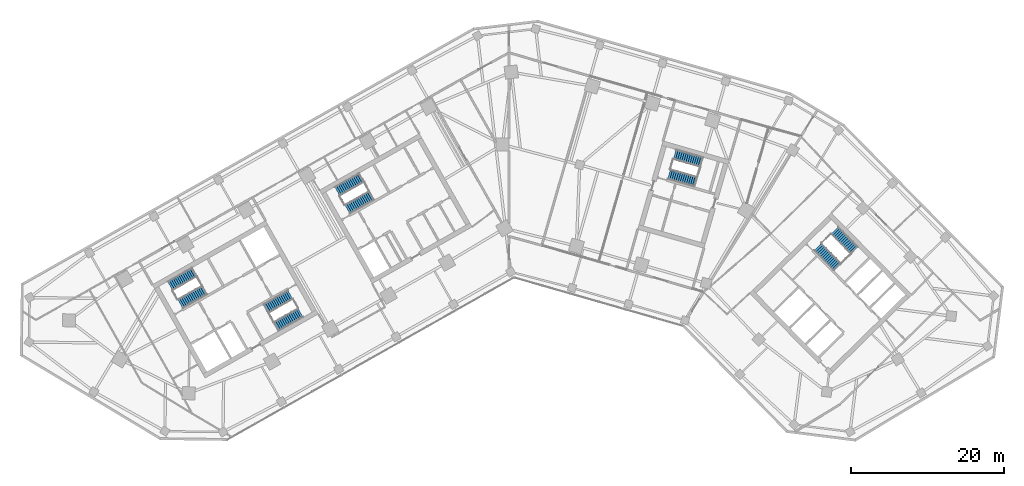
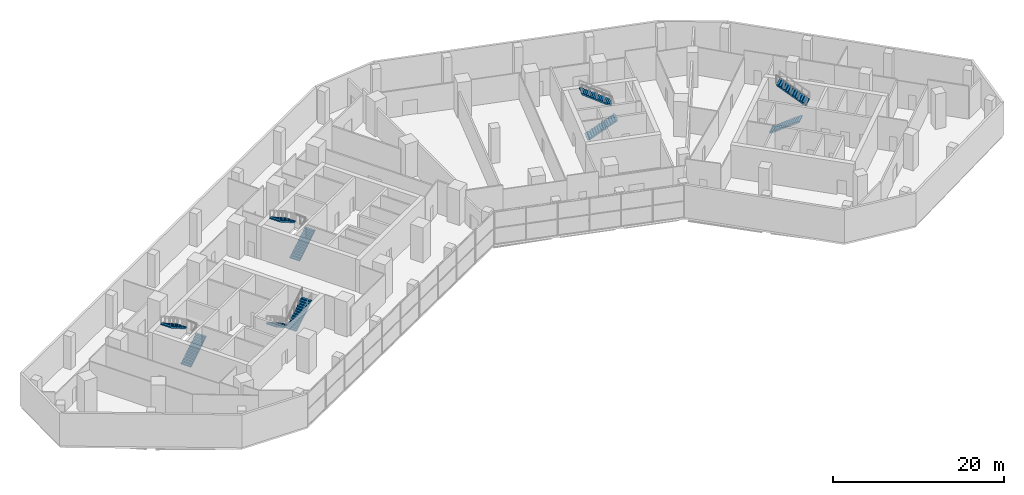
# One storey, part 14 of 16: 10 stair flights, 5 elements without a shape of their own.
"""IFC4 building model written with IfcOpenShell, lengths in metres."""

from ifc_helpers import new_model, si_unit, direction, frame, origin, place, context, subcontext, project, spatial, polyline, outline, extrude, material, type_object, element, aggregate, save


model = new_model("IFC4")

# Units and contexts
model_context = context("Model", 3, precision=1e-05, world=origin(), true_north=direction((0.0, 1.0)))
body_context = subcontext(model_context, "Body", "Model", "MODEL_VIEW")
ifc_project = project(units=[si_unit("LENGTHUNIT", "METRE"), si_unit("AREAUNIT", "SQUARE_METRE"), si_unit("VOLUMEUNIT", "CUBIC_METRE"), si_unit("PLANEANGLEUNIT", "RADIAN"), si_unit("MASSUNIT", "GRAM", prefix="KILO")], contexts=[model_context])

# Site, building, storey
site_placement = place(None, origin())
site = spatial("IfcSite", under=ifc_project, at=site_placement, CompositionType="ELEMENT")
building_placement = place(site_placement, origin())
building = spatial("IfcBuilding", under=site, at=building_placement, Name="Binnacle Exchange Tower", CompositionType="ELEMENT")
storey_placement = place(building_placement, frame((0.0, 0.0, 21.5)))
storey = spatial("IfcBuildingStorey", under=building, at=storey_placement, Name="L04", CompositionType="ELEMENT", Elevation=21.5)

# Stair, stair flights
ifc_material = material(Name="Concrete C35/45", Category="concrete")
stair_type = type_object("IfcStairType", Name="STAIR 28 RISERS 179", PredefinedType="HALF_TURN_STAIR", material=ifc_material)
stair_1_placement = place(storey_placement, origin())
stair_1 = element("IfcStair", 1, at=stair_1_placement, inside=storey, type_object=stair_type, Name="L04 Escape stair A1", PredefinedType="HALF_TURN_STAIR")
stair_flight_type = type_object("IfcStairFlightType", Name="STAIR FLIGHT 179X280", PredefinedType="STRAIGHT", material=ifc_material)
stair_flight_1_placement = place(storey_placement, frame((-42.9541015625, 39.17333984375, 0.0), z_axis=(0.0, 0.0, 1.0), x_axis=(0.870355584213, 0.492423757581, 0.0)))
stair_flight_1 = element("IfcStairFlight", 2, at=stair_flight_1_placement, type_object=stair_flight_type, Name="STA1 flight 1", NumberOfRisers=14, NumberOfTreads=13, PredefinedType="STRAIGHT", RiserHeight=0.178571429, TreadLength=0.28, context=body_context, shape_type="SweptSolid", body=[
    extrude(outline(polyline([(0.0, 0.0), (0.0, 0.178466796875), (0.280029296875, 0.178466796875), (0.280029296875, 0.357177734375), (0.56005859375, 0.357177734375), (0.56005859375, 0.53564453125), (0.840087890625, 0.53564453125), (0.840087890625, 0.71435546875), (1.1201171875, 0.71435546875), (1.1201171875, 0.892822265625), (1.39990234375, 0.892822265625), (1.39990234375, 1.071533203125), (1.679931640625, 1.071533203125), (1.679931640625, 1.25), (1.9599609375, 1.25), (1.9599609375, 1.428466796875), (2.239990234375, 1.428466796875), (2.239990234375, 1.607177734375), (2.52001953125, 1.607177734375), (2.52001953125, 1.78564453125), (2.800048828125, 1.78564453125), (2.800048828125, 1.96435546875), (3.080078125, 1.96435546875), (3.080078125, 2.142822265625), (3.360107421875, 2.142822265625), (3.360107421875, 2.321533203125), (3.639892578125, 2.321533203125), (3.639892578125, 2.5), (3.639892578125, 2.1435546875), (0.27880859375, 0.0), (0.0, 0.0)])), frame((0.0, 0.675048828125, 0.0), z_axis=(0.0, -1.0, 0.0), x_axis=(1.0, 0.0, 0.0)), (0.0, 0.0, 1.0), 1.35009765625),
])
stair_flight_2_placement = place(storey_placement, frame((-41.115478515625, 43.315673828125, 2.5), z_axis=(0.0, 0.0, 1.0), x_axis=(-0.870355584213, -0.492423757581, 0.0)))
stair_flight_2 = element("IfcStairFlight", 3, at=stair_flight_2_placement, type_object=stair_flight_type, Name="STA1 flight 2", NumberOfRisers=14, NumberOfTreads=13, PredefinedType="STRAIGHT", RiserHeight=0.178571429, TreadLength=0.28, context=body_context, shape_type="SweptSolid", body=[
    extrude(outline(polyline([(0.0, 0.0), (0.0, 0.178466796875), (0.280029296875, 0.178466796875), (0.280029296875, 0.357177734375), (0.56005859375, 0.357177734375), (0.56005859375, 0.53564453125), (0.840087890625, 0.53564453125), (0.840087890625, 0.71435546875), (1.1201171875, 0.71435546875), (1.1201171875, 0.892822265625), (1.39990234375, 0.892822265625), (1.39990234375, 1.071533203125), (1.679931640625, 1.071533203125), (1.679931640625, 1.25), (1.9599609375, 1.25), (1.9599609375, 1.428466796875), (2.239990234375, 1.428466796875), (2.239990234375, 1.607177734375), (2.52001953125, 1.607177734375), (2.52001953125, 1.78564453125), (2.800048828125, 1.78564453125), (2.800048828125, 1.96435546875), (3.080078125, 1.96435546875), (3.080078125, 2.142822265625), (3.360107421875, 2.142822265625), (3.360107421875, 2.321533203125), (3.639892578125, 2.321533203125), (3.639892578125, 2.5), (3.639892578125, 2.1435546875), (0.27880859375, 0.0), (0.0, 0.0)])), frame((0.0, 0.675048828125, 0.0), z_axis=(0.0, -1.0, 0.0), x_axis=(1.0, 0.0, 0.0)), (0.0, 0.0, 1.0), 1.35009765625),
])
aggregate(stair_1, [stair_flight_1, stair_flight_2])

stair_2_placement = place(storey_placement, origin())
stair_2 = element("IfcStair", 4, at=stair_2_placement, inside=storey, type_object=stair_type, Name="L04 Escape stair A2", PredefinedType="HALF_TURN_STAIR")
stair_flight_3_placement = place(storey_placement, frame((-28.5732421875, 40.3583984375, 0.0), z_axis=(0.0, 0.0, 1.0), x_axis=(-0.870355584213, -0.492423757581, 0.0)))
stair_flight_3 = element("IfcStairFlight", 5, at=stair_flight_3_placement, type_object=stair_flight_type, Name="STA2 flight 1", NumberOfRisers=14, NumberOfTreads=13, PredefinedType="STRAIGHT", RiserHeight=0.178571429, TreadLength=0.28, context=body_context, shape_type="SweptSolid", body=[
    extrude(outline(polyline([(0.0, 0.0), (0.0, 0.178466796875), (0.280029296875, 0.178466796875), (0.280029296875, 0.357177734375), (0.56005859375, 0.357177734375), (0.56005859375, 0.53564453125), (0.840087890625, 0.53564453125), (0.840087890625, 0.71435546875), (1.1201171875, 0.71435546875), (1.1201171875, 0.892822265625), (1.39990234375, 0.892822265625), (1.39990234375, 1.071533203125), (1.679931640625, 1.071533203125), (1.679931640625, 1.25), (1.9599609375, 1.25), (1.9599609375, 1.428466796875), (2.239990234375, 1.428466796875), (2.239990234375, 1.607177734375), (2.52001953125, 1.607177734375), (2.52001953125, 1.78564453125), (2.800048828125, 1.78564453125), (2.800048828125, 1.96435546875), (3.080078125, 1.96435546875), (3.080078125, 2.142822265625), (3.360107421875, 2.142822265625), (3.360107421875, 2.321533203125), (3.639892578125, 2.321533203125), (3.639892578125, 2.5), (3.639892578125, 2.1435546875), (0.27880859375, 0.0), (0.0, 0.0)])), frame((0.0, 0.675048828125, 0.0), z_axis=(0.0, -1.0, 0.0), x_axis=(1.0, 0.0, 0.0)), (0.0, 0.0, 1.0), 1.35009765625),
])
stair_flight_4_placement = place(storey_placement, frame((-30.411865234375, 36.216064453125, 2.5), z_axis=(0.0, 0.0, 1.0), x_axis=(0.870355584213, 0.492423757581, 0.0)))
stair_flight_4 = element("IfcStairFlight", 6, at=stair_flight_4_placement, type_object=stair_flight_type, Name="STA2 flight 2", NumberOfRisers=14, NumberOfTreads=13, PredefinedType="STRAIGHT", RiserHeight=0.178571429, TreadLength=0.28, context=body_context, shape_type="SweptSolid", body=[
    extrude(outline(polyline([(0.0, 0.0), (0.0, 0.178466796875), (0.280029296875, 0.178466796875), (0.280029296875, 0.357177734375), (0.56005859375, 0.357177734375), (0.56005859375, 0.53564453125), (0.840087890625, 0.53564453125), (0.840087890625, 0.71435546875), (1.1201171875, 0.71435546875), (1.1201171875, 0.892822265625), (1.39990234375, 0.892822265625), (1.39990234375, 1.071533203125), (1.679931640625, 1.071533203125), (1.679931640625, 1.25), (1.9599609375, 1.25), (1.9599609375, 1.428466796875), (2.239990234375, 1.428466796875), (2.239990234375, 1.607177734375), (2.52001953125, 1.607177734375), (2.52001953125, 1.78564453125), (2.800048828125, 1.78564453125), (2.800048828125, 1.96435546875), (3.080078125, 1.96435546875), (3.080078125, 2.142822265625), (3.360107421875, 2.142822265625), (3.360107421875, 2.321533203125), (3.639892578125, 2.321533203125), (3.639892578125, 2.5), (3.639892578125, 2.1435546875), (0.27880859375, 0.0), (0.0, 0.0)])), frame((0.0, 0.675048828125, 0.0), z_axis=(0.0, -1.0, 0.0), x_axis=(1.0, 0.0, 0.0)), (0.0, 0.0, 1.0), 1.35009765625),
])
aggregate(stair_2, [stair_flight_3, stair_flight_4])

stair_3_placement = place(storey_placement, origin())
stair_3 = element("IfcStair", 7, at=stair_3_placement, inside=storey, type_object=stair_type, Name="L04 Escape stair B1", PredefinedType="HALF_TURN_STAIR")
stair_flight_5_placement = place(storey_placement, frame((40.376708984375, 46.608642578125, 0.0), z_axis=(0.0, 0.0, 1.0), x_axis=(0.70090935144, -0.713250363522, 0.0)))
stair_flight_5 = element("IfcStairFlight", 8, at=stair_flight_5_placement, type_object=stair_flight_type, Name="STB1 flight 1", NumberOfRisers=14, NumberOfTreads=13, PredefinedType="STRAIGHT", RiserHeight=0.178571429, TreadLength=0.28, context=body_context, shape_type="SweptSolid", body=[
    extrude(outline(polyline([(0.0, 0.0), (0.0, 0.178466796875), (0.280029296875, 0.178466796875), (0.280029296875, 0.357177734375), (0.56005859375, 0.357177734375), (0.56005859375, 0.53564453125), (0.840087890625, 0.53564453125), (0.840087890625, 0.71435546875), (1.1201171875, 0.71435546875), (1.1201171875, 0.892822265625), (1.39990234375, 0.892822265625), (1.39990234375, 1.071533203125), (1.679931640625, 1.071533203125), (1.679931640625, 1.25), (1.9599609375, 1.25), (1.9599609375, 1.428466796875), (2.239990234375, 1.428466796875), (2.239990234375, 1.607177734375), (2.52001953125, 1.607177734375), (2.52001953125, 1.78564453125), (2.800048828125, 1.78564453125), (2.800048828125, 1.96435546875), (3.080078125, 1.96435546875), (3.080078125, 2.142822265625), (3.360107421875, 2.142822265625), (3.360107421875, 2.321533203125), (3.639892578125, 2.321533203125), (3.639892578125, 2.5), (3.639892578125, 2.1435546875), (0.27880859375, 0.0), (0.0, 0.0)])), frame((0.0, 0.675048828125, 0.0), z_axis=(0.0, -1.0, 0.0), x_axis=(1.0, 0.0, 0.0)), (0.0, 0.0, 1.0), 1.35009765625),
])
stair_flight_6_placement = place(storey_placement, frame((45.13916015625, 46.185302734375, 2.5), z_axis=(0.0, 0.0, 1.0), x_axis=(-0.70090935144, 0.713250363522, 0.0)))
stair_flight_6 = element("IfcStairFlight", 9, at=stair_flight_6_placement, type_object=stair_flight_type, Name="STB1 flight 2", NumberOfRisers=14, NumberOfTreads=13, PredefinedType="STRAIGHT", RiserHeight=0.178571429, TreadLength=0.28, context=body_context, shape_type="SweptSolid", body=[
    extrude(outline(polyline([(0.0, 0.0), (0.0, 0.178466796875), (0.280029296875, 0.178466796875), (0.280029296875, 0.357177734375), (0.56005859375, 0.357177734375), (0.56005859375, 0.53564453125), (0.840087890625, 0.53564453125), (0.840087890625, 0.71435546875), (1.1201171875, 0.71435546875), (1.1201171875, 0.892822265625), (1.39990234375, 0.892822265625), (1.39990234375, 1.071533203125), (1.679931640625, 1.071533203125), (1.679931640625, 1.25), (1.9599609375, 1.25), (1.9599609375, 1.428466796875), (2.239990234375, 1.428466796875), (2.239990234375, 1.607177734375), (2.52001953125, 1.607177734375), (2.52001953125, 1.78564453125), (2.800048828125, 1.78564453125), (2.800048828125, 1.96435546875), (3.080078125, 1.96435546875), (3.080078125, 2.142822265625), (3.360107421875, 2.142822265625), (3.360107421875, 2.321533203125), (3.639892578125, 2.321533203125), (3.639892578125, 2.5), (3.639892578125, 2.1435546875), (0.27880859375, 0.0), (0.0, 0.0)])), frame((0.0, 0.675048828125, 0.0), z_axis=(0.0, -1.0, 0.0), x_axis=(1.0, 0.0, 0.0)), (0.0, 0.0, 1.0), 1.35009765625),
])
aggregate(stair_3, [stair_flight_5, stair_flight_6])

stair_4_placement = place(storey_placement, origin())
stair_4 = element("IfcStair", 10, at=stair_4_placement, inside=storey, type_object=stair_type, Name="L04 Escape stair C1", PredefinedType="HALF_TURN_STAIR")
stair_flight_7_placement = place(storey_placement, frame((-21.115966796875, 51.528564453125, 0.0), z_axis=(0.0, 0.0, 1.0), x_axis=(0.870355584213, 0.492423757581, 0.0)))
stair_flight_7 = element("IfcStairFlight", 11, at=stair_flight_7_placement, type_object=stair_flight_type, Name="STC1 flight 1", NumberOfRisers=14, NumberOfTreads=13, PredefinedType="STRAIGHT", RiserHeight=0.178571429, TreadLength=0.28, context=body_context, shape_type="SweptSolid", body=[
    extrude(outline(polyline([(0.0, 0.0), (0.0, 0.178466796875), (0.280029296875, 0.178466796875), (0.280029296875, 0.357177734375), (0.56005859375, 0.357177734375), (0.56005859375, 0.53564453125), (0.840087890625, 0.53564453125), (0.840087890625, 0.71435546875), (1.1201171875, 0.71435546875), (1.1201171875, 0.892822265625), (1.39990234375, 0.892822265625), (1.39990234375, 1.071533203125), (1.679931640625, 1.071533203125), (1.679931640625, 1.25), (1.9599609375, 1.25), (1.9599609375, 1.428466796875), (2.239990234375, 1.428466796875), (2.239990234375, 1.607177734375), (2.52001953125, 1.607177734375), (2.52001953125, 1.78564453125), (2.800048828125, 1.78564453125), (2.800048828125, 1.96435546875), (3.080078125, 1.96435546875), (3.080078125, 2.142822265625), (3.360107421875, 2.142822265625), (3.360107421875, 2.321533203125), (3.639892578125, 2.321533203125), (3.639892578125, 2.5), (3.639892578125, 2.1435546875), (0.27880859375, 0.0), (0.0, 0.0)])), frame((0.0, 0.675048828125, 0.0), z_axis=(0.0, -1.0, 0.0), x_axis=(1.0, 0.0, 0.0)), (0.0, 0.0, 1.0), 1.35009765625),
])
stair_flight_8_placement = place(storey_placement, frame((-19.27734375, 55.671142578125, 2.5), z_axis=(0.0, 0.0, 1.0), x_axis=(-0.870355584213, -0.492423757581, 0.0)))
stair_flight_8 = element("IfcStairFlight", 12, at=stair_flight_8_placement, type_object=stair_flight_type, Name="STC1 flight 2", NumberOfRisers=14, NumberOfTreads=13, PredefinedType="STRAIGHT", RiserHeight=0.178571429, TreadLength=0.28, context=body_context, shape_type="SweptSolid", body=[
    extrude(outline(polyline([(0.0, 0.0), (0.0, 0.178466796875), (0.280029296875, 0.178466796875), (0.280029296875, 0.357177734375), (0.56005859375, 0.357177734375), (0.56005859375, 0.53564453125), (0.840087890625, 0.53564453125), (0.840087890625, 0.71435546875), (1.1201171875, 0.71435546875), (1.1201171875, 0.892822265625), (1.39990234375, 0.892822265625), (1.39990234375, 1.071533203125), (1.679931640625, 1.071533203125), (1.679931640625, 1.25), (1.9599609375, 1.25), (1.9599609375, 1.428466796875), (2.239990234375, 1.428466796875), (2.239990234375, 1.607177734375), (2.52001953125, 1.607177734375), (2.52001953125, 1.78564453125), (2.800048828125, 1.78564453125), (2.800048828125, 1.96435546875), (3.080078125, 1.96435546875), (3.080078125, 2.142822265625), (3.360107421875, 2.142822265625), (3.360107421875, 2.321533203125), (3.639892578125, 2.321533203125), (3.639892578125, 2.5), (3.639892578125, 2.1435546875), (0.27880859375, 0.0), (0.0, 0.0)])), frame((0.0, 0.675048828125, 0.0), z_axis=(0.0, -1.0, 0.0), x_axis=(1.0, 0.0, 0.0)), (0.0, 0.0, 1.0), 1.35009765625),
])
aggregate(stair_4, [stair_flight_7, stair_flight_8])

stair_5_placement = place(storey_placement, origin())
stair_5 = element("IfcStair", 13, at=stair_5_placement, inside=storey, type_object=stair_type, Name="L04 Escape stair D1", PredefinedType="HALF_TURN_STAIR")
stair_flight_9_placement = place(storey_placement, frame((20.914306640625, 56.109619140625, 0.0), z_axis=(0.0, 0.0, 1.0), x_axis=(0.961261811397, -0.275636953165, 0.0)))
stair_flight_9 = element("IfcStairFlight", 14, at=stair_flight_9_placement, type_object=stair_flight_type, Name="STD1 flight 1", NumberOfRisers=14, NumberOfTreads=13, PredefinedType="STRAIGHT", RiserHeight=0.178571429, TreadLength=0.28, context=body_context, shape_type="SweptSolid", body=[
    extrude(outline(polyline([(0.0, 0.0), (0.0, 0.178466796875), (0.280029296875, 0.178466796875), (0.280029296875, 0.357177734375), (0.56005859375, 0.357177734375), (0.56005859375, 0.53564453125), (0.840087890625, 0.53564453125), (0.840087890625, 0.71435546875), (1.1201171875, 0.71435546875), (1.1201171875, 0.892822265625), (1.39990234375, 0.892822265625), (1.39990234375, 1.071533203125), (1.679931640625, 1.071533203125), (1.679931640625, 1.25), (1.9599609375, 1.25), (1.9599609375, 1.428466796875), (2.239990234375, 1.428466796875), (2.239990234375, 1.607177734375), (2.52001953125, 1.607177734375), (2.52001953125, 1.78564453125), (2.800048828125, 1.78564453125), (2.800048828125, 1.96435546875), (3.080078125, 1.96435546875), (3.080078125, 2.142822265625), (3.360107421875, 2.142822265625), (3.360107421875, 2.321533203125), (3.639892578125, 2.321533203125), (3.639892578125, 2.5), (3.639892578125, 2.1435546875), (0.27880859375, 0.0), (0.0, 0.0)])), frame((0.0, 0.675048828125, 0.0), z_axis=(0.0, -1.0, 0.0), x_axis=(1.0, 0.0, 0.0)), (0.0, 0.0, 1.0), 1.35009765625),
])
stair_flight_10_placement = place(storey_placement, frame((25.157470703125, 57.70166015625, 2.5), z_axis=(0.0, 0.0, 1.0), x_axis=(-0.961261811397, 0.275636953165, 0.0)))
stair_flight_10 = element("IfcStairFlight", 15, at=stair_flight_10_placement, type_object=stair_flight_type, Name="STD1 flight 2", NumberOfRisers=14, NumberOfTreads=13, PredefinedType="STRAIGHT", RiserHeight=0.178571429, TreadLength=0.28, context=body_context, shape_type="SweptSolid", body=[
    extrude(outline(polyline([(0.0, 0.0), (0.0, 0.178466796875), (0.280029296875, 0.178466796875), (0.280029296875, 0.357177734375), (0.56005859375, 0.357177734375), (0.56005859375, 0.53564453125), (0.840087890625, 0.53564453125), (0.840087890625, 0.71435546875), (1.1201171875, 0.71435546875), (1.1201171875, 0.892822265625), (1.39990234375, 0.892822265625), (1.39990234375, 1.071533203125), (1.679931640625, 1.071533203125), (1.679931640625, 1.25), (1.9599609375, 1.25), (1.9599609375, 1.428466796875), (2.239990234375, 1.428466796875), (2.239990234375, 1.607177734375), (2.52001953125, 1.607177734375), (2.52001953125, 1.78564453125), (2.800048828125, 1.78564453125), (2.800048828125, 1.96435546875), (3.080078125, 1.96435546875), (3.080078125, 2.142822265625), (3.360107421875, 2.142822265625), (3.360107421875, 2.321533203125), (3.639892578125, 2.321533203125), (3.639892578125, 2.5), (3.639892578125, 2.1435546875), (0.27880859375, 0.0), (0.0, 0.0)])), frame((0.0, 0.675048828125, 0.0), z_axis=(0.0, -1.0, 0.0), x_axis=(1.0, 0.0, 0.0)), (0.0, 0.0, 1.0), 1.35009765625),
])
aggregate(stair_5, [stair_flight_9, stair_flight_10])

save(model, "model.ifc")
